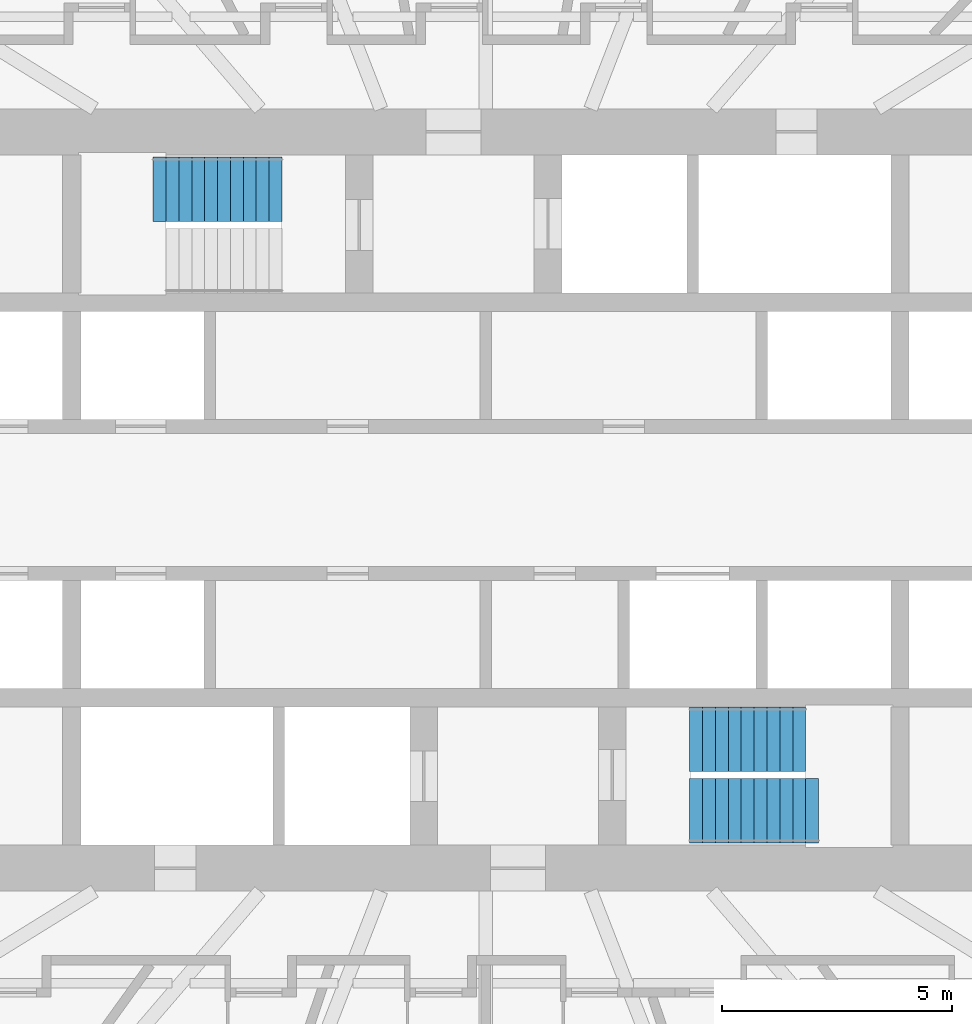
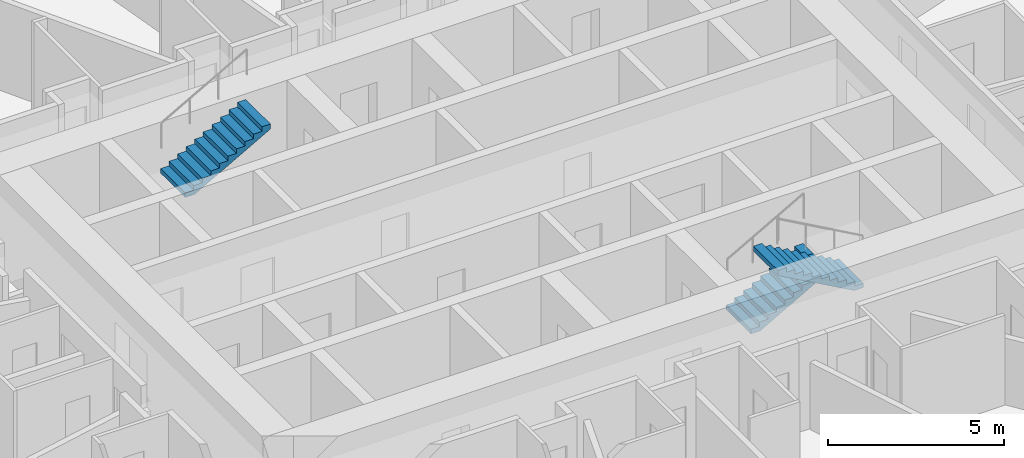
# One storey, part 13 of 14: 3 stair flights, 2 elements without a shape of their own.
"""IFC4 building model written with IfcOpenShell, lengths in metres."""

import ifcopenshell
import ifcopenshell.guid

model = None  # the IFC model being written
_history = None  # IfcOwnerHistory: only IFC2X3 demands one
_inside = {}  # id of a spatial element -> (the spatial element, [elements in it])
_under = {}  # id of a project, library or spatial element -> (it, [spatial elements below it])
_declared = {}  # id of a project -> (the project, [libraries it declares])
_typed = {}  # id of a type object -> (the type object, [elements of that type])
_made_of = {}  # id of a material, layer set ... -> (it, [elements and type objects made of it])


def new_model(schema):
    """Start an empty IFC model of exactly this schema.

    Asked for "IFC4X3", IfcOpenShell would pick the latest addendum, in which some entities
    have other attributes; the version numbers below select the first issue.
    IFC2X3 requires an IfcOwnerHistory on every rooted entity: one is made here for all.
    """
    global model, _history
    if schema == "IFC4X3":
        model = ifcopenshell.file(schema_version=(4, 3, 0, 0))
    else:
        model = ifcopenshell.file(schema=schema)
    _inside.clear()
    _under.clear()
    _declared.clear()
    _typed.clear()
    _made_of.clear()
    _history = None
    if model.schema == "IFC2X3":
        org = make("IfcOrganization", Name="unknown")
        user = make(
            "IfcPersonAndOrganization",
            ThePerson=make("IfcPerson", FamilyName="unknown"),
            TheOrganization=org,
        )
        app = make(
            "IfcApplication",
            ApplicationDeveloper=org,
            Version="unknown",
            ApplicationFullName="unknown",
            ApplicationIdentifier="unknown",
        )
        _history = make(
            "IfcOwnerHistory",
            OwningUser=user,
            OwningApplication=app,
            ChangeAction="ADDED",
            CreationDate=0,
        )
    return model


def make(cls, **values):
    """One entity of the class cls with the attributes given. An attribute that is None is left unset."""
    return model.create_entity(
        cls, **{name: value for name, value in values.items() if value is not None}
    )


def rooted(cls, **values):
    """An entity with a GlobalId (a new one), such as an element, a storey or a relation."""
    return make(cls, GlobalId=ifcopenshell.guid.new(), OwnerHistory=_history, **values)


def si_unit(unit_type, name, prefix=None):
    """IfcSIUnit, for example si_unit("LENGTHUNIT", "METRE", prefix="MILLI")."""
    return make("IfcSIUnit", UnitType=unit_type, Prefix=prefix, Name=name)


def assignment(units):
    """IfcUnitAssignment: the units of a project."""
    return None if units is None else make("IfcUnitAssignment", Units=units)


def point(xyz):
    """IfcCartesianPoint."""
    return None if xyz is None else make("IfcCartesianPoint", Coordinates=xyz)


def direction(xyz):
    """IfcDirection."""
    return None if xyz is None else make("IfcDirection", DirectionRatios=xyz)


def frame(location, z_axis=None, x_axis=None):
    """IfcAxis2Placement3D, a coordinate frame: its origin and axes. An axis left out is left unset."""
    return make(
        "IfcAxis2Placement3D",
        Location=point(location),
        Axis=direction(z_axis),
        RefDirection=direction(x_axis),
    )


def origin():
    """The frame at (0, 0, 0) with its axes left unset."""
    return frame((0.0, 0.0, 0.0))


def place(relative_to, where):
    """IfcLocalPlacement: puts the frame where relative to a parent placement (None: the world)."""
    return make(
        "IfcLocalPlacement", PlacementRelTo=relative_to, RelativePlacement=where
    )


def context(
    kind, dimensions, precision=None, world=None, true_north=None, identifier=None
):
    """IfcGeometricRepresentationContext, for example the 3D "Model" context."""
    return make(
        "IfcGeometricRepresentationContext",
        ContextIdentifier=identifier,
        ContextType=kind,
        CoordinateSpaceDimension=dimensions,
        Precision=precision,
        WorldCoordinateSystem=world,
        TrueNorth=true_north,
    )


def subcontext(parent, identifier, kind, view, scale=None):
    """IfcGeometricRepresentationSubContext, for example "Body" below "Model"."""
    return make(
        "IfcGeometricRepresentationSubContext",
        ContextIdentifier=identifier,
        ContextType=kind,
        ParentContext=parent,
        TargetScale=scale,
        TargetView=view,
    )


def project(units=None, contexts=None):
    """IfcProject with its units and contexts."""
    return rooted(
        "IfcProject",
        Name="project",
        RepresentationContexts=contexts,
        UnitsInContext=assignment(units),
    )


def spatial(cls, under=None, at=None, **own):
    """A site, building, storey or space (cls), placed at a placement, below another one or the project."""
    s = rooted(cls, ObjectPlacement=at, **own)
    if under is not None:
        _under.setdefault(under.id(), (under, []))[1].append(s)
    return s


def polyline(points):
    """IfcPolyline through the points."""
    return make("IfcPolyline", Points=[point(p) for p in points])


def outline(outer, holes=None, kind="AREA"):
    """IfcArbitraryClosedProfileDef: a profile drawn as a closed curve; with holes, ...WithVoids."""
    if holes is None:
        return make("IfcArbitraryClosedProfileDef", ProfileType=kind, OuterCurve=outer)
    return make(
        "IfcArbitraryProfileDefWithVoids",
        ProfileType=kind,
        OuterCurve=outer,
        InnerCurves=holes,
    )


def extrude(swept, where, along, depth):
    """IfcExtrudedAreaSolid: the profile swept, set in the frame where, extruded along a direction by depth."""
    return make(
        "IfcExtrudedAreaSolid",
        SweptArea=swept,
        Position=where,
        ExtrudedDirection=direction(along),
        Depth=depth,
    )


def shape(context_of_items, identifier, shape_type, items):
    """IfcShapeRepresentation: the items that make up one representation, for example the "Body"."""
    return make(
        "IfcShapeRepresentation",
        ContextOfItems=context_of_items,
        RepresentationIdentifier=identifier,
        RepresentationType=shape_type,
        Items=items,
    )


def material(Name=None, Category=None):
    """IfcMaterial."""
    return make("IfcMaterial", Name=Name, Category=Category)


def made_of(thing, what):
    """Note that an element or type object is made of a material, layer set ...; save() writes the relation."""
    if what is not None:
        _made_of.setdefault(what.id(), (what, []))[1].append(thing)
    return thing


def type_object(cls, material=None, **own):
    """A type object (cls), such as IfcWallType, which elements share."""
    return made_of(rooted(cls, **own), material)


def element(
    cls,
    number,
    at=None,
    inside=None,
    cuts=None,
    type_object=None,
    material=None,
    context=None,
    identifier="Body",
    shape_type=None,
    held_by="IfcProductDefinitionShape",
    body=None,
    shapes=None,
    **own,
):
    """One element of the class cls, such as IfcWall. Its Tag is "e" and its number.

    at: its placement. inside: the storey or other place that contains it. cuts: it is an
    opening in that element (IfcRelVoidsElement). A single representation is given by context,
    identifier, shape_type and body (its items); several are given by shapes. held_by: the class
    of the entity that holds the representations. save() writes the other relations.
    """
    e = rooted(cls, Tag="e%d" % number, ObjectPlacement=at, **own)
    if body is not None:
        shapes = [shape(context, identifier, shape_type, body)]
    if shapes is not None:
        e.Representation = make(held_by, Representations=shapes)
    if inside is not None:
        _inside.setdefault(inside.id(), (inside, []))[1].append(e)
    if cuts is not None:
        rooted(
            "IfcRelVoidsElement", RelatingBuildingElement=cuts, RelatedOpeningElement=e
        )
    if type_object is not None:
        _typed.setdefault(type_object.id(), (type_object, []))[1].append(e)
    return made_of(e, material)


def aggregate(whole, parts):
    """IfcRelAggregates: a whole, such as a stair, and the parts it consists of."""
    return rooted("IfcRelAggregates", RelatingObject=whole, RelatedObjects=parts)


def save(model, path):
    """Write the relations noted so far, then the file.

    IfcRelAggregates (storeys below a building ...), IfcRelContainedInSpatialStructure (elements
    in a storey), IfcRelDefinesByType, IfcRelAssociatesMaterial and IfcRelDeclares: one each for
    every whole, place, type object, material and project.
    """
    for whole, parts in _under.values():
        aggregate(whole, parts)
    for where, things in _inside.values():
        rooted(
            "IfcRelContainedInSpatialStructure",
            RelatedElements=things,
            RelatingStructure=where,
        )
    for kind, things in _typed.values():
        rooted("IfcRelDefinesByType", RelatedObjects=things, RelatingType=kind)
    for what, things in _made_of.values():
        rooted("IfcRelAssociatesMaterial", RelatedObjects=things, RelatingMaterial=what)
    for by, libraries in _declared.values():
        rooted("IfcRelDeclares", RelatingContext=by, RelatedDefinitions=libraries)
    model.write(path)


model = new_model("IFC4")

# Units and contexts
model_context = context("Model", 3, precision=1e-05, world=origin(), true_north=direction((0.0, 1.0)))
body_context = subcontext(model_context, "Body", "Model", "MODEL_VIEW")
ifc_project = project(units=[si_unit("LENGTHUNIT", "METRE"), si_unit("AREAUNIT", "SQUARE_METRE"), si_unit("VOLUMEUNIT", "CUBIC_METRE"), si_unit("PLANEANGLEUNIT", "RADIAN"), si_unit("MASSUNIT", "GRAM", prefix="KILO")], contexts=[model_context])

# Site, building, storey
site_placement = place(None, origin())
site = spatial("IfcSite", under=ifc_project, at=site_placement, CompositionType="ELEMENT")
building_placement = place(site_placement, origin())
building = spatial("IfcBuilding", under=site, at=building_placement, Name="Hankou Lantern Tower", CompositionType="ELEMENT")
storey_placement = place(building_placement, frame((0.0, 0.0, 54.0)))
storey = spatial("IfcBuildingStorey", under=building, at=storey_placement, Name="L12", CompositionType="ELEMENT", Elevation=54.0)

# Stair, stair flight
ifc_material_1 = material(Name="Concrete C40", Category="concrete")
stair_type = type_object("IfcStairType", Name="ST33 CORE STAIR 3300 RISE", PredefinedType="HALF_TURN_STAIR", material=ifc_material_1)
stair_1_placement = place(storey_placement, origin())
stair_1 = element("IfcStair", 1, at=stair_1_placement, inside=storey, type_object=stair_type, Name="Stair STB L12", PredefinedType="HALF_TURN_STAIR")
ifc_material_2 = material(Name="Concrete C40", Category="concrete")
stair_flight_type_1 = type_object("IfcStairFlightType", Name="CF10 CORE STAIR FLIGHT 1400 X 10 RISERS", PredefinedType="STRAIGHT", material=ifc_material_2)
stair_flight_1_placement = place(storey_placement, frame((4.429931640625, -5.199951171875, 0.0), z_axis=(0.0, 0.0, 1.0), x_axis=(1.0, 0.0, 0.0)))
stair_flight_1 = element("IfcStairFlight", 2, at=stair_flight_1_placement, type_object=stair_flight_type_1, Name="STB flight 1", NumberOfRisers=10, NumberOfTreads=9, PredefinedType="STRAIGHT", RiserHeight=0.157142857, TreadLength=0.28, context=body_context, shape_type="SweptSolid", body=[
    extrude(outline(polyline([(0.0, 0.0), (0.0, 0.1572265625), (0.280029296875, 0.1572265625), (0.280029296875, 0.314208984375), (0.56005859375, 0.314208984375), (0.56005859375, 0.471435546875), (0.840087890625, 0.471435546875), (0.840087890625, 0.628662109375), (1.1201171875, 0.628662109375), (1.1201171875, 0.78564453125), (1.39990234375, 0.78564453125), (1.39990234375, 0.94287109375), (1.679931640625, 0.94287109375), (1.679931640625, 1.10009765625), (1.9599609375, 1.10009765625), (1.9599609375, 1.257080078125), (2.239990234375, 1.257080078125), (2.239990234375, 1.414306640625), (2.52001953125, 1.414306640625), (2.52001953125, 1.571533203125), (2.52001953125, 1.242431640625), (0.306396484375, 0.0), (0.0, 0.0)])), frame((0.0, 0.699951171875, 0.0), z_axis=(0.0, -1.0, 0.0), x_axis=(1.0, 0.0, 0.0)), (0.0, 0.0, 1.0), 1.39990234375),
])

stair_2_placement = place(storey_placement, origin())
stair_2 = element("IfcStair", 3, at=stair_2_placement, inside=storey, type_object=stair_type, Name="Stair STA L12", PredefinedType="HALF_TURN_STAIR")
ifc_material_3 = material(Name="Concrete C40", Category="concrete")
stair_flight_type_2 = type_object("IfcStairFlightType", Name="CF11 CORE STAIR FLIGHT 1400 X 11 RISERS", PredefinedType="STRAIGHT", material=ifc_material_3)
stair_flight_2_placement = place(storey_placement, frame((-7.22998046875, 6.75, 1.571533203125), z_axis=(0.0, 0.0, 1.0), x_axis=(1.0, 0.0, 0.0)))
stair_flight_2 = element("IfcStairFlight", 4, at=stair_flight_2_placement, type_object=stair_flight_type_2, Name="STA flight 2", NumberOfRisers=11, NumberOfTreads=10, PredefinedType="STRAIGHT", RiserHeight=0.157142857, TreadLength=0.28, context=body_context, shape_type="SweptSolid", body=[
    extrude(outline(polyline([(0.0, 0.0), (0.0, 0.1572265625), (0.280029296875, 0.1572265625), (0.280029296875, 0.314208984375), (0.56005859375, 0.314208984375), (0.56005859375, 0.471435546875), (0.840087890625, 0.471435546875), (0.840087890625, 0.628662109375), (1.1201171875, 0.628662109375), (1.1201171875, 0.78564453125), (1.39990234375, 0.78564453125), (1.39990234375, 0.94287109375), (1.679931640625, 0.94287109375), (1.679931640625, 1.10009765625), (1.9599609375, 1.10009765625), (1.9599609375, 1.257080078125), (2.239990234375, 1.257080078125), (2.239990234375, 1.414306640625), (2.52001953125, 1.414306640625), (2.52001953125, 1.571533203125), (2.800048828125, 1.571533203125), (2.800048828125, 1.728515625), (2.800048828125, 1.3994140625), (0.306396484375, 0.0), (0.0, 0.0)])), frame((0.0, 0.699951171875, 0.0), z_axis=(0.0, -1.0, 0.0), x_axis=(1.0, 0.0, 0.0)), (0.0, 0.0, 1.0), 1.39990234375),
])
aggregate(stair_2, [stair_flight_2])

# Stair flight
stair_flight_3_placement = place(storey_placement, frame((7.22998046875, -6.75, 1.571533203125), z_axis=(0.0, 0.0, 1.0), x_axis=(-1.0, 0.0, 0.0)))
stair_flight_3 = element("IfcStairFlight", 5, at=stair_flight_3_placement, type_object=stair_flight_type_2, Name="STB flight 2", NumberOfRisers=11, NumberOfTreads=10, PredefinedType="STRAIGHT", RiserHeight=0.157142857, TreadLength=0.28, context=body_context, shape_type="SweptSolid", body=[
    extrude(outline(polyline([(0.0, 0.0), (0.0, 0.1572265625), (0.280029296875, 0.1572265625), (0.280029296875, 0.314208984375), (0.56005859375, 0.314208984375), (0.56005859375, 0.471435546875), (0.840087890625, 0.471435546875), (0.840087890625, 0.628662109375), (1.1201171875, 0.628662109375), (1.1201171875, 0.78564453125), (1.39990234375, 0.78564453125), (1.39990234375, 0.94287109375), (1.679931640625, 0.94287109375), (1.679931640625, 1.10009765625), (1.9599609375, 1.10009765625), (1.9599609375, 1.257080078125), (2.239990234375, 1.257080078125), (2.239990234375, 1.414306640625), (2.52001953125, 1.414306640625), (2.52001953125, 1.571533203125), (2.800048828125, 1.571533203125), (2.800048828125, 1.728515625), (2.800048828125, 1.3994140625), (0.306396484375, 0.0), (0.0, 0.0)])), frame((0.0, 0.699951171875, 0.0), z_axis=(0.0, -1.0, 0.0), x_axis=(1.0, 0.0, 0.0)), (0.0, 0.0, 1.0), 1.39990234375),
])

aggregate(stair_1, [stair_flight_1, stair_flight_3])

save(model, "model.ifc")
